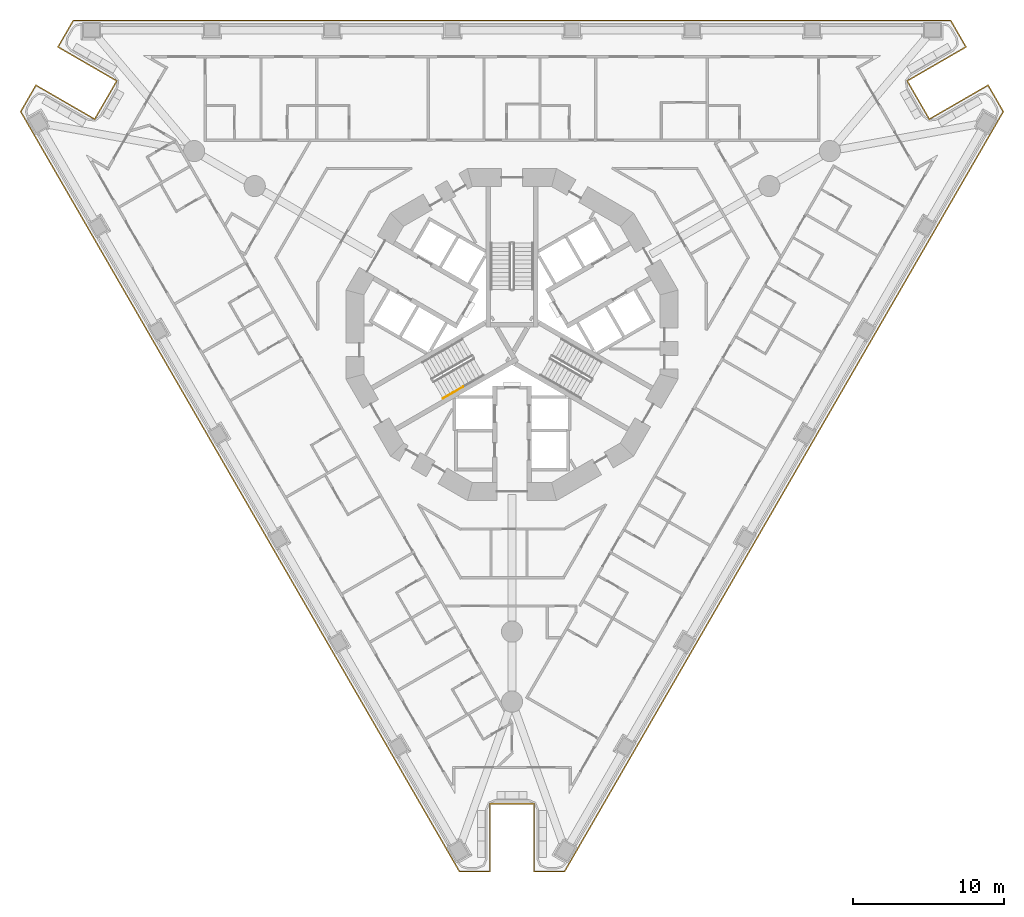
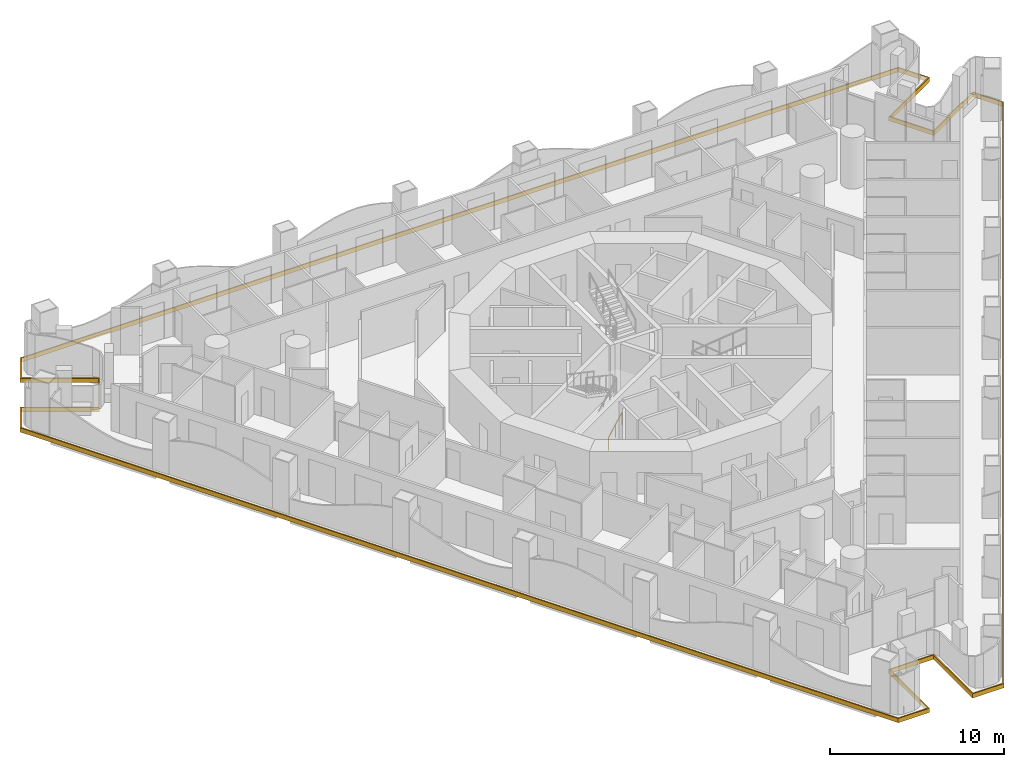
# One storey, part 13 of 20: 1 covering, 1 railing.
"""IFC4 building model written with IfcOpenShell, lengths in metres."""

from ifc_helpers import new_model, si_unit, direction, frame, origin, origin_2d, place, context, subcontext, project, spatial, polyline, circle, outline, extrude, material, layer, layer_set, type_object, element, save


model = new_model("IFC4")

# Units and contexts
model_context = context("Model", 3, precision=1e-05, world=origin(), true_north=direction((0.0, 1.0)))
body_context = subcontext(model_context, "Body", "Model", "MODEL_VIEW")
ifc_project = project(units=[si_unit("LENGTHUNIT", "METRE"), si_unit("AREAUNIT", "SQUARE_METRE"), si_unit("VOLUMEUNIT", "CUBIC_METRE"), si_unit("PLANEANGLEUNIT", "RADIAN"), si_unit("MASSUNIT", "GRAM", prefix="KILO")], contexts=[model_context])

# Site, building, storey
site_placement = place(None, origin())
site = spatial("IfcSite", under=ifc_project, at=site_placement, CompositionType="ELEMENT")
building_placement = place(site_placement, origin())
building = spatial("IfcBuilding", under=site, at=building_placement, Name="Trine Commons Tower", CompositionType="ELEMENT")
storey_placement = place(building_placement, frame((0.0, 0.0, 38.699951171875)))
storey = spatial("IfcBuildingStorey", under=building, at=storey_placement, Name="L08", CompositionType="ELEMENT", Elevation=38.699951171875)

# Covering
ifc_material_1 = material(Name="Limestone, honed", Category="masonry")
ifc_layer = layer(ifc_material_1, 0.074951171875)
ifc_layer_set = layer_set([ifc_layer], Name="Limestone, honed")
covering_type = type_object("IfcCoveringType", Name="Limestone spandrel panel 75", PredefinedType="CLADDING", material=ifc_layer_set)
covering_placement = place(storey_placement, frame((0.0, 0.0, -0.300048828125)))
element("IfcCovering", 1, at=covering_placement, inside=storey, type_object=covering_type, Name="Limestone spandrel panel 1-01", PredefinedType="CLADDING", context=body_context, shape_type="SweptSolid", body=[
    extrude(outline(polyline([(81.425048828125, 31.355712890625), (81.425048828125, 26.855712890625), (83.50732421875, 26.855712890625), (112.62255859375, 77.28466796875), (111.581298828125, 79.087890625), (107.68408203125, 76.837890625), (106.25927734375, 79.30615234375), (110.15625, 81.55615234375), (109.114990234375, 83.359619140625), (50.885009765625, 83.359619140625), (49.84375, 81.55615234375), (53.74072265625, 79.30615234375), (52.31591796875, 76.837890625), (48.418701171875, 79.087890625), (47.37744140625, 77.28466796875), (76.49267578125, 26.855712890625), (78.574951171875, 26.855712890625), (78.574951171875, 31.355712890625), (81.425048828125, 31.355712890625)]), holes=[polyline([(111.5537109375, 78.985595703125), (112.535888671875, 77.28466796875), (83.464111328125, 26.930908203125), (81.5, 26.930908203125), (81.5, 31.430908203125), (78.5, 31.430908203125), (78.5, 26.930908203125), (76.535888671875, 26.930908203125), (47.464111328125, 77.28466796875), (48.4462890625, 78.985595703125), (52.34326171875, 76.735595703125), (53.84326171875, 79.33349609375), (49.9462890625, 81.58349609375), (50.92822265625, 83.28466796875), (109.07177734375, 83.28466796875), (110.0537109375, 81.58349609375), (106.15673828125, 79.33349609375), (107.65673828125, 76.735595703125), (111.5537109375, 78.985595703125)])]), origin(), (0.0, 0.0, 1.0), 0.300048828125),
])

# Railing
ifc_material_2 = material(Name="Stainless steel handrail", Category="steel")
railing_type = type_object("IfcRailingType", Name="Stair handrail, steel 900", PredefinedType="HANDRAIL", material=ifc_material_2)
railing_placement = place(storey_placement, frame((75.43017578125, 58.27392578125, 0.150146484375)))
element("IfcRailing", 2, at=railing_placement, inside=storey, type_object=railing_type, Name="L08 ST2A stair handrail 1", PredefinedType="HANDRAIL", context=body_context, shape_type="SweptSolid", body=[
    extrude(circle(Radius=0.02099609375, at=origin_2d()), frame((0.0, 0.0, 0.87890625), z_axis=(0.76340495495, 0.440743040072, 0.472184759798), x_axis=(-0.499992328818, 0.866029832698, 0.0)), (0.0, 0.0, 1.0), 1.7470703125),
    extrude(circle(Radius=0.01513671875, at=origin_2d()), origin(), (0.0, 0.0, 1.0), 0.85791015625),
    extrude(circle(Radius=0.01513671875, at=origin_2d()), frame((0.6669921875, 0.385009765625, 0.41259765625)), (0.0, 0.0, 1.0), 0.85791015625),
    extrude(circle(Radius=0.01513671875, at=origin_2d()), frame((1.333740234375, 0.77001953125, 0.824951171875)), (0.0, 0.0, 1.0), 0.85791015625),
])

save(model, "model.ifc")
